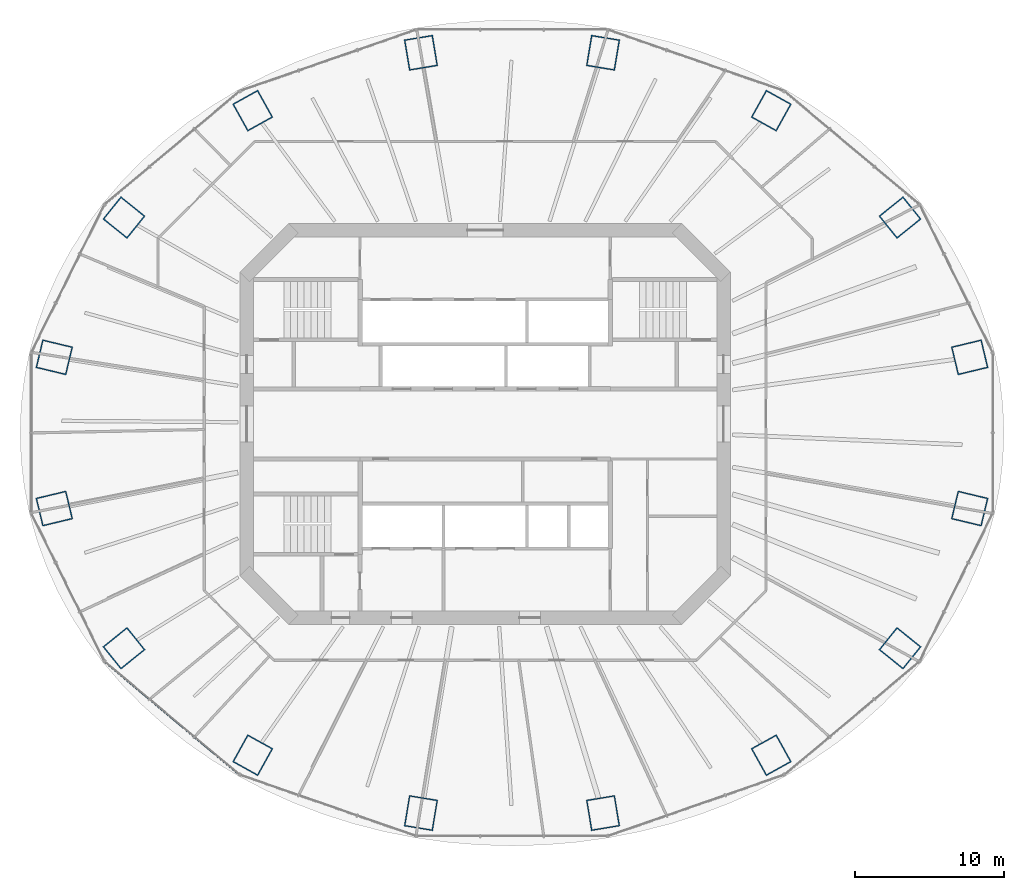
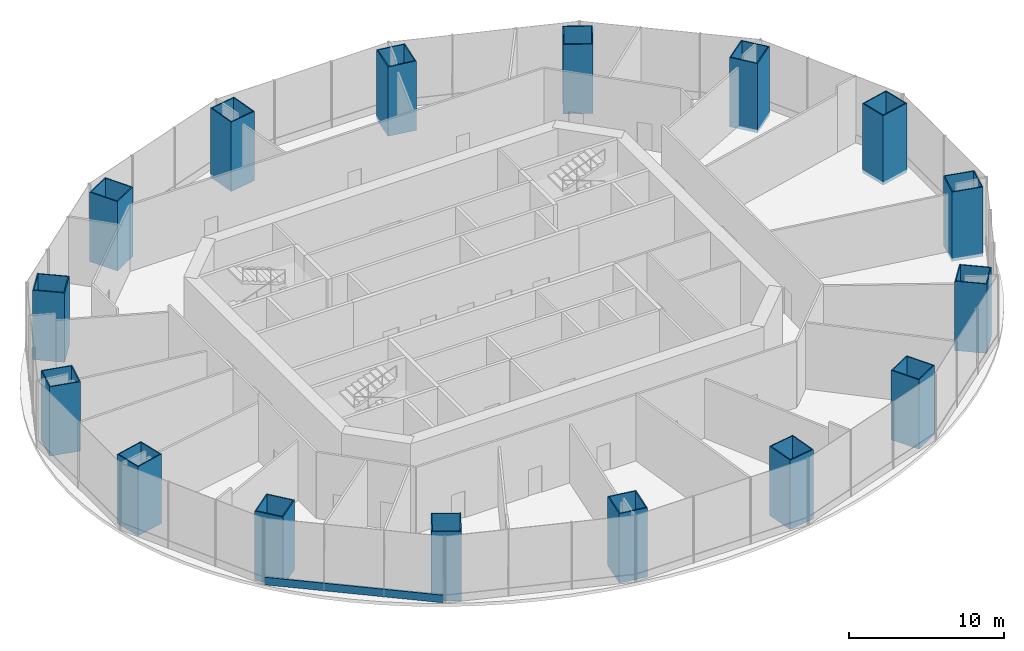
# One storey, part 1 of 15: 16 columns, 1 member, 1 element without a shape of its own.
"""IFC4 building model written with IfcOpenShell, lengths in metres."""

import ifcopenshell
import ifcopenshell.guid

model = None  # the IFC model being written
_history = None  # IfcOwnerHistory: only IFC2X3 demands one
_inside = {}  # id of a spatial element -> (the spatial element, [elements in it])
_under = {}  # id of a project, library or spatial element -> (it, [spatial elements below it])
_declared = {}  # id of a project -> (the project, [libraries it declares])
_typed = {}  # id of a type object -> (the type object, [elements of that type])
_made_of = {}  # id of a material, layer set ... -> (it, [elements and type objects made of it])


def new_model(schema):
    """Start an empty IFC model of exactly this schema.

    Asked for "IFC4X3", IfcOpenShell would pick the latest addendum, in which some entities
    have other attributes; the version numbers below select the first issue.
    IFC2X3 requires an IfcOwnerHistory on every rooted entity: one is made here for all.
    """
    global model, _history
    if schema == "IFC4X3":
        model = ifcopenshell.file(schema_version=(4, 3, 0, 0))
    else:
        model = ifcopenshell.file(schema=schema)
    _inside.clear()
    _under.clear()
    _declared.clear()
    _typed.clear()
    _made_of.clear()
    _history = None
    if model.schema == "IFC2X3":
        org = make("IfcOrganization", Name="unknown")
        user = make(
            "IfcPersonAndOrganization",
            ThePerson=make("IfcPerson", FamilyName="unknown"),
            TheOrganization=org,
        )
        app = make(
            "IfcApplication",
            ApplicationDeveloper=org,
            Version="unknown",
            ApplicationFullName="unknown",
            ApplicationIdentifier="unknown",
        )
        _history = make(
            "IfcOwnerHistory",
            OwningUser=user,
            OwningApplication=app,
            ChangeAction="ADDED",
            CreationDate=0,
        )
    return model


def make(cls, **values):
    """One entity of the class cls with the attributes given. An attribute that is None is left unset."""
    return model.create_entity(
        cls, **{name: value for name, value in values.items() if value is not None}
    )


def rooted(cls, **values):
    """An entity with a GlobalId (a new one), such as an element, a storey or a relation."""
    return make(cls, GlobalId=ifcopenshell.guid.new(), OwnerHistory=_history, **values)


def si_unit(unit_type, name, prefix=None):
    """IfcSIUnit, for example si_unit("LENGTHUNIT", "METRE", prefix="MILLI")."""
    return make("IfcSIUnit", UnitType=unit_type, Prefix=prefix, Name=name)


def assignment(units):
    """IfcUnitAssignment: the units of a project."""
    return None if units is None else make("IfcUnitAssignment", Units=units)


def point(xyz):
    """IfcCartesianPoint."""
    return None if xyz is None else make("IfcCartesianPoint", Coordinates=xyz)


def direction(xyz):
    """IfcDirection."""
    return None if xyz is None else make("IfcDirection", DirectionRatios=xyz)


def frame(location, z_axis=None, x_axis=None):
    """IfcAxis2Placement3D, a coordinate frame: its origin and axes. An axis left out is left unset."""
    return make(
        "IfcAxis2Placement3D",
        Location=point(location),
        Axis=direction(z_axis),
        RefDirection=direction(x_axis),
    )


def frame_2d(location, x_axis=None):
    """IfcAxis2Placement2D, a coordinate frame in the plane: its origin and x axis."""
    return make(
        "IfcAxis2Placement2D", Location=point(location), RefDirection=direction(x_axis)
    )


def origin():
    """The frame at (0, 0, 0) with its axes left unset."""
    return frame((0.0, 0.0, 0.0))


def origin_2d():
    """The frame at (0, 0) in the plane with its x axis left unset."""
    return frame_2d((0.0, 0.0))


def place(relative_to, where):
    """IfcLocalPlacement: puts the frame where relative to a parent placement (None: the world)."""
    return make(
        "IfcLocalPlacement", PlacementRelTo=relative_to, RelativePlacement=where
    )


def context(
    kind, dimensions, precision=None, world=None, true_north=None, identifier=None
):
    """IfcGeometricRepresentationContext, for example the 3D "Model" context."""
    return make(
        "IfcGeometricRepresentationContext",
        ContextIdentifier=identifier,
        ContextType=kind,
        CoordinateSpaceDimension=dimensions,
        Precision=precision,
        WorldCoordinateSystem=world,
        TrueNorth=true_north,
    )


def subcontext(parent, identifier, kind, view, scale=None):
    """IfcGeometricRepresentationSubContext, for example "Body" below "Model"."""
    return make(
        "IfcGeometricRepresentationSubContext",
        ContextIdentifier=identifier,
        ContextType=kind,
        ParentContext=parent,
        TargetScale=scale,
        TargetView=view,
    )


def project(units=None, contexts=None):
    """IfcProject with its units and contexts."""
    return rooted(
        "IfcProject",
        Name="project",
        RepresentationContexts=contexts,
        UnitsInContext=assignment(units),
    )


def spatial(cls, under=None, at=None, **own):
    """A site, building, storey or space (cls), placed at a placement, below another one or the project."""
    s = rooted(cls, ObjectPlacement=at, **own)
    if under is not None:
        _under.setdefault(under.id(), (under, []))[1].append(s)
    return s


def profile(cls, at=None, kind="AREA", **sizes):
    """A parametric profile (cls). Its sizes go by their IFC names, for example OverallWidth=200.0."""
    return make(cls, ProfileType=kind, Position=at, **sizes)


def rectangle(**sizes):
    """IfcRectangleProfileDef."""
    return profile("IfcRectangleProfileDef", **sizes)


def hollow_rectangle(**sizes):
    """IfcRectangleHollowProfileDef."""
    return profile("IfcRectangleHollowProfileDef", **sizes)


def extrude(swept, where, along, depth):
    """IfcExtrudedAreaSolid: the profile swept, set in the frame where, extruded along a direction by depth."""
    return make(
        "IfcExtrudedAreaSolid",
        SweptArea=swept,
        Position=where,
        ExtrudedDirection=direction(along),
        Depth=depth,
    )


def shape(context_of_items, identifier, shape_type, items):
    """IfcShapeRepresentation: the items that make up one representation, for example the "Body"."""
    return make(
        "IfcShapeRepresentation",
        ContextOfItems=context_of_items,
        RepresentationIdentifier=identifier,
        RepresentationType=shape_type,
        Items=items,
    )


def material(Name=None, Category=None):
    """IfcMaterial."""
    return make("IfcMaterial", Name=Name, Category=Category)


def material_profile(
    of_material, cross_section, Name=None, Category=None, Priority=None
):
    """IfcMaterialProfile: a cross section and its material."""
    return make(
        "IfcMaterialProfile",
        Name=Name,
        Material=of_material,
        Profile=cross_section,
        Priority=Priority,
        Category=Category,
    )


def profile_set(profiles, Name=None, composite=None):
    """IfcMaterialProfileSet."""
    return make(
        "IfcMaterialProfileSet",
        Name=Name,
        MaterialProfiles=profiles,
        CompositeProfile=composite,
    )


def made_of(thing, what):
    """Note that an element or type object is made of a material, layer set ...; save() writes the relation."""
    if what is not None:
        _made_of.setdefault(what.id(), (what, []))[1].append(thing)
    return thing


def type_object(cls, material=None, **own):
    """A type object (cls), such as IfcWallType, which elements share."""
    return made_of(rooted(cls, **own), material)


def element(
    cls,
    number,
    at=None,
    inside=None,
    cuts=None,
    type_object=None,
    material=None,
    context=None,
    identifier="Body",
    shape_type=None,
    held_by="IfcProductDefinitionShape",
    body=None,
    shapes=None,
    **own,
):
    """One element of the class cls, such as IfcWall. Its Tag is "e" and its number.

    at: its placement. inside: the storey or other place that contains it. cuts: it is an
    opening in that element (IfcRelVoidsElement). A single representation is given by context,
    identifier, shape_type and body (its items); several are given by shapes. held_by: the class
    of the entity that holds the representations. save() writes the other relations.
    """
    e = rooted(cls, Tag="e%d" % number, ObjectPlacement=at, **own)
    if body is not None:
        shapes = [shape(context, identifier, shape_type, body)]
    if shapes is not None:
        e.Representation = make(held_by, Representations=shapes)
    if inside is not None:
        _inside.setdefault(inside.id(), (inside, []))[1].append(e)
    if cuts is not None:
        rooted(
            "IfcRelVoidsElement", RelatingBuildingElement=cuts, RelatedOpeningElement=e
        )
    if type_object is not None:
        _typed.setdefault(type_object.id(), (type_object, []))[1].append(e)
    return made_of(e, material)


def aggregate(whole, parts):
    """IfcRelAggregates: a whole, such as a stair, and the parts it consists of."""
    return rooted("IfcRelAggregates", RelatingObject=whole, RelatedObjects=parts)


def save(model, path):
    """Write the relations noted so far, then the file.

    IfcRelAggregates (storeys below a building ...), IfcRelContainedInSpatialStructure (elements
    in a storey), IfcRelDefinesByType, IfcRelAssociatesMaterial and IfcRelDeclares: one each for
    every whole, place, type object, material and project.
    """
    for whole, parts in _under.values():
        aggregate(whole, parts)
    for where, things in _inside.values():
        rooted(
            "IfcRelContainedInSpatialStructure",
            RelatedElements=things,
            RelatingStructure=where,
        )
    for kind, things in _typed.values():
        rooted("IfcRelDefinesByType", RelatedObjects=things, RelatingType=kind)
    for what, things in _made_of.values():
        rooted("IfcRelAssociatesMaterial", RelatedObjects=things, RelatingMaterial=what)
    for by, libraries in _declared.values():
        rooted("IfcRelDeclares", RelatingContext=by, RelatedDefinitions=libraries)
    model.write(path)


model = new_model("IFC4")

# Units and contexts
model_context = context("Model", 3, precision=1e-05, world=origin(), true_north=direction((0.0, 1.0)))
body_context = subcontext(model_context, "Body", "Model", "MODEL_VIEW")
ifc_project = project(units=[si_unit("LENGTHUNIT", "METRE"), si_unit("AREAUNIT", "SQUARE_METRE"), si_unit("VOLUMEUNIT", "CUBIC_METRE"), si_unit("PLANEANGLEUNIT", "RADIAN"), si_unit("MASSUNIT", "GRAM", prefix="KILO")], contexts=[model_context])

# Site, building, storey
site_placement = place(None, origin())
site = spatial("IfcSite", under=ifc_project, at=site_placement, CompositionType="ELEMENT")
building_placement = place(site_placement, origin())
building = spatial("IfcBuilding", under=site, at=building_placement, Name="Marenthal Gate Tower", CompositionType="ELEMENT")
storey_placement = place(building_placement, frame((0.0, 0.0, 155.64990234375)))
storey = spatial("IfcBuildingStorey", under=building, at=storey_placement, Name="L33", CompositionType="ELEMENT", Elevation=155.64990234375)

# Columns
ifc_material_1 = material(Name="Steel S460", Category="steel")
ifc_material_profile_1 = material_profile(ifc_material_1, hollow_rectangle(XDim=1.949951171875, YDim=2.10009765625, WallThickness=0.074951171875, at=origin_2d()), Name="CFT BOX 2100X1950X75")
ifc_material_2 = material(Name="Concrete 70 MPa", Category="concrete")
ifc_material_profile_2 = material_profile(ifc_material_2, rectangle(XDim=1.800048828125, YDim=1.949951171875, at=origin_2d()), Name="CFT BOX 2100X1950X75 INFILL")
ifc_profile_set_1 = profile_set([ifc_material_profile_1, ifc_material_profile_2], Name="Steel S460 shell, Concrete 70 MPa infill")
column_type = type_object("IfcColumnType", Name="CFT BOX 2100X1950X75", PredefinedType="COLUMN", material=ifc_profile_set_1)
for number, where, z_axis, x_axis, name in (
    (1, (32.51708984375, 4.474609375, -0.25), (0.0, 0.0, 1.0), (0.232909042988, -0.972498523235, 0.0), "COL-L33-01"),
    (2, (27.8408203125, 13.8515625, -0.25), (0.0, 0.0, 1.0), (0.62683093837, -0.779155295626, 0.0), "COL-L33-02"),
    (3, (19.199951171875, 21.0283203125, -0.25), (0.0, 0.0, 1.0), (0.874380139328, -0.485241560409, 0.0), "COL-L33-03"),
    (4, (7.909912109375, 24.912109375, -0.25), (0.0, 0.0, 1.0), (0.986626552786, -0.162997071561, 0.0), "COL-L33-04"),
    (5, (-4.31005859375, 24.912109375, -0.25), (0.0, 0.0, 1.0), (0.986626552786, 0.162997071561, 0.0), "COL-L33-05"),
    (6, (-15.599853515625, 21.0283203125, -0.25), (0.0, 0.0, 1.0), (0.874380139328, 0.485241560409, 0.0), "COL-L33-06"),
    (7, (-24.24072265625, 13.8515625, -0.25), (0.0, 0.0, 1.0), (0.62683093837, 0.779155295626, 0.0), "COL-L33-07"),
    (8, (-28.917236328125, 4.474609375, -0.25), (0.0, 0.0, 1.0), (0.232909042988, 0.972498523235, 0.0), "COL-L33-08"),
    (9, (-28.917236328125, -5.6748046875, -0.25), (0.0, 0.0, 1.0), (-0.232909042988, 0.972498523235, 0.0), "COL-L33-09"),
    (10, (-24.24072265625, -15.051513671875, -0.25), (0.0, 0.0, 1.0), (-0.62683093837, 0.779155295626, 0.0), "COL-L33-10"),
    (11, (-15.599853515625, -22.228271484375, -0.25), (0.0, 0.0, 1.0), (-0.874380139328, 0.485241560409, 0.0), "COL-L33-11"),
    (12, (-4.31005859375, -26.1123046875, -0.25), (0.0, 0.0, 1.0), (-0.986626552786, 0.162997071561, 0.0), "COL-L33-12"),
    (13, (7.909912109375, -26.1123046875, -0.25), (0.0, 0.0, 1.0), (-0.986626552786, -0.162997071561, 0.0), "COL-L33-13"),
    (14, (19.199951171875, -22.228271484375, -0.25), (0.0, 0.0, 1.0), (-0.874380139328, -0.485241560409, 0.0), "COL-L33-14"),
    (15, (27.8408203125, -15.051513671875, -0.25), (0.0, 0.0, 1.0), (-0.62683093837, -0.779155295626, 0.0), "COL-L33-15"),
    (16, (32.51708984375, -5.6748046875, -0.25), (0.0, 0.0, 1.0), (-0.232909042988, -0.972498523235, 0.0), "COL-L33-16"),
):
    element("IfcColumn", number, at=place(storey_placement, frame(where, z_axis=z_axis, x_axis=x_axis)), inside=storey, type_object=column_type, Name=name, PredefinedType="COLUMN", context=body_context, shape_type="SweptSolid", body=[
        extrude(hollow_rectangle(XDim=1.949951171875, YDim=2.10009765625, WallThickness=0.074951171875, at=origin_2d()), origin(), (0.0, 0.0, 1.0), 5.47021484375),
    ])

# Curtain wall, member
ifc_material_3 = material(Name="Aluminium and glass", Category="aluminium")
curtain_wall_type = type_object("IfcCurtainWallType", Name="Curtain wall sky lobby", PredefinedType="NOTDEFINED", material=ifc_material_3)
curtain_wall_placement = place(storey_placement, origin())
curtain_wall = element("IfcCurtainWall", 17, at=curtain_wall_placement, inside=storey, type_object=curtain_wall_type, Name="Curtain wall L33 bay 10", PredefinedType="NOTDEFINED")
ifc_material_4 = material(Name="Aluminium", Category="aluminium")
ifc_material_profile_3 = material_profile(ifc_material_4, rectangle(XDim=0.139892578125, YDim=0.60009765625, at=origin_2d()), Name="140x600 aluminium transom")
ifc_profile_set_2 = profile_set([ifc_material_profile_3], Name="Aluminium")
member_type = type_object("IfcMemberType", Name="Transom 140x600 sky lobby", PredefinedType="USERDEFINED", material=ifc_profile_set_2)
member_placement = place(storey_placement, frame((-25.504638671875, -15.970947265625, 0.300048828125), z_axis=(0.766195183631, -0.642607921349, 0.0), x_axis=(0.642607921349, 0.766195183631, 0.0)))
member = element("IfcMember", 18, at=member_placement, type_object=member_type, Name="Transom L33 bay 10", ObjectType="TRANSOM", PredefinedType="USERDEFINED", context=body_context, shape_type="SweptSolid", body=[
    extrude(rectangle(XDim=0.139892578125, YDim=0.60009765625, at=origin_2d()), origin(), (0.0, 0.0, 1.0), 11.71630859375),
])
aggregate(curtain_wall, [member])

save(model, "model.ifc")
